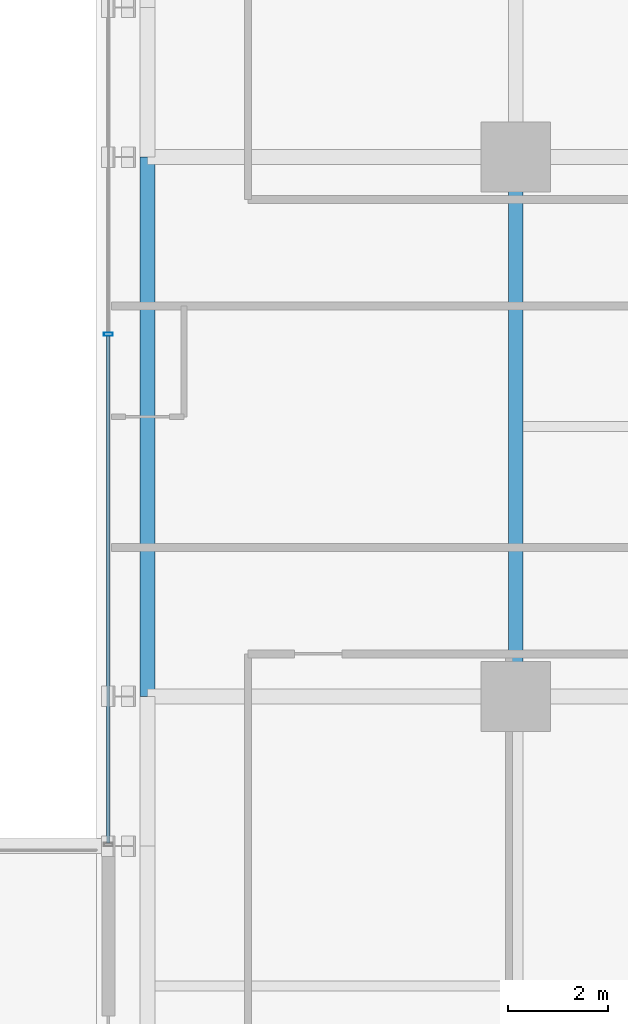
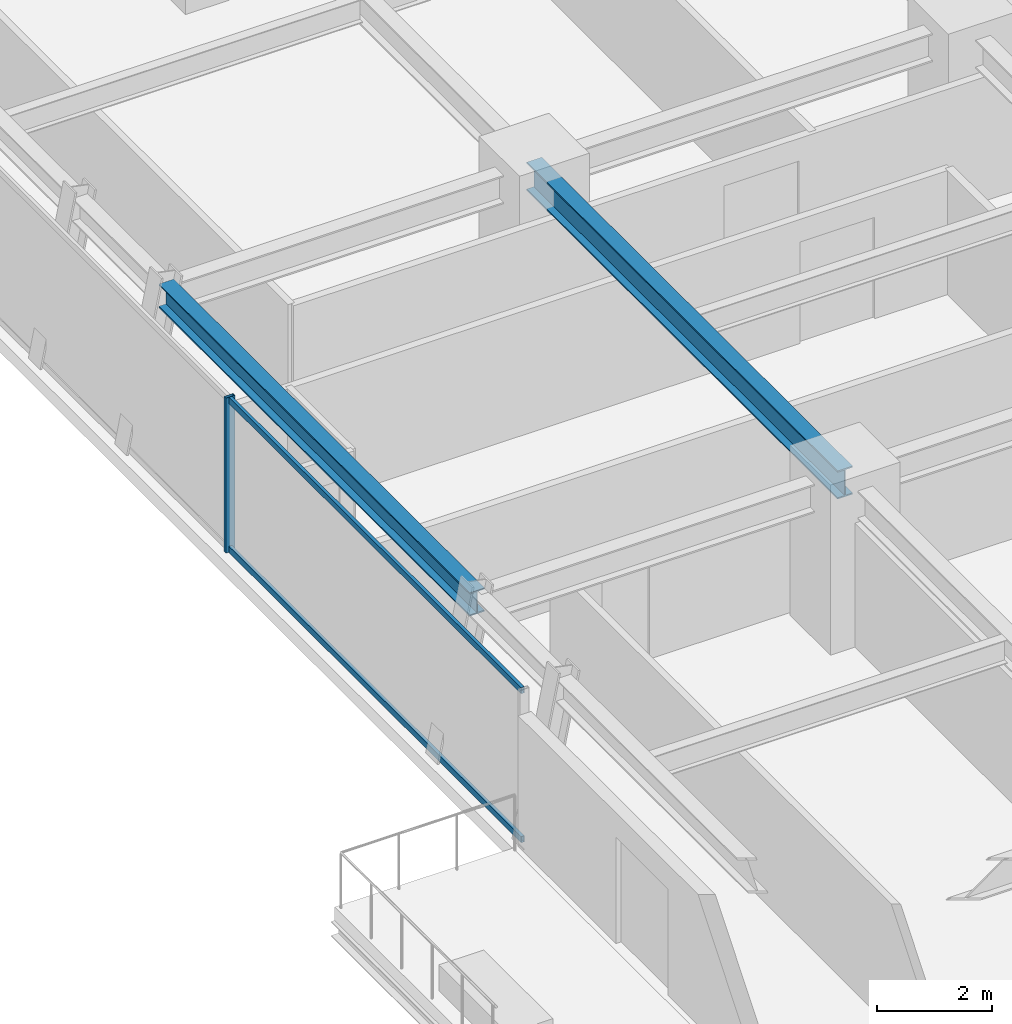
# One storey, part 9 of 35: 3 members, 2 beams, 1 element without a shape of its own.
"""IFC4 building model written with IfcOpenShell, lengths in metres."""

from ifc_helpers import new_model, si_unit, direction, frame, origin, origin_2d, place, context, subcontext, project, spatial, hollow_rectangle, i_section, extrude, source, transform, mapped, material, material_profile, profile_set, type_object, element, aggregate, save


model = new_model("IFC4")

# Units and contexts
model_context = context("Model", 3, precision=1e-05, world=origin(), true_north=direction((0.0, 1.0)))
body_context = subcontext(model_context, "Body", "Model", "MODEL_VIEW")
ifc_project = project(units=[si_unit("LENGTHUNIT", "METRE"), si_unit("AREAUNIT", "SQUARE_METRE"), si_unit("VOLUMEUNIT", "CUBIC_METRE"), si_unit("PLANEANGLEUNIT", "RADIAN"), si_unit("MASSUNIT", "GRAM", prefix="KILO")], contexts=[model_context])

# Site, building, storey
site_placement = place(None, origin())
site = spatial("IfcSite", under=ifc_project, at=site_placement, CompositionType="ELEMENT")
building_placement = place(site_placement, origin())
building = spatial("IfcBuilding", under=site, at=building_placement, Name="Nahalor Promenade Grand Hotel", CompositionType="ELEMENT")
storey_placement = place(building_placement, frame((0.0, 0.0, 79.85009765625)))
storey = spatial("IfcBuildingStorey", under=building, at=storey_placement, Name="L19", CompositionType="ELEMENT", Elevation=79.85009765625)

# Beams
ifc_material_1 = material(Name="Steel S355JR", Category="steel")
ifc_material_profile_1 = material_profile(ifc_material_1, i_section(OverallWidth=0.3, OverallDepth=0.6, WebThickness=0.0155, FlangeThickness=0.03, at=origin_2d()), Name="HEB 600")
ifc_profile_set_1 = profile_set([ifc_material_profile_1], Name="Steel S355JR")
beam_type_1 = type_object("IfcBeamType", Name="Beam-Girder-HEB600", PredefinedType="BEAM", material=ifc_profile_set_1)
shared_shape_1 = source(origin(), body_context, "Body", "SweptSolid", [
    extrude(i_section(OverallWidth=0.3, OverallDepth=0.6, WebThickness=0.0155, FlangeThickness=0.03, at=origin_2d()), origin(), (0.0, 0.0, 1.0), 10.7998046875),
])
beam_1_placement = place(storey_placement, frame((-17.0, -5.39990234375, 2.989990234375), z_axis=(0.0, 1.0, 0.0), x_axis=(-1.0, 0.0, 0.0)))
element("IfcBeam", 1, at=beam_1_placement, inside=storey, type_object=beam_type_1, Name="BM-L19-GY-0-2", PredefinedType="BEAM", context=body_context, shape_type="MappedRepresentation", body=[
    mapped(shared_shape_1, transform((0.0, 0.0, 0.0), scale=1.0)),
])
ifc_material_profile_2 = material_profile(ifc_material_1, i_section(OverallWidth=0.3, OverallDepth=0.5, WebThickness=0.0145, FlangeThickness=0.028, at=origin_2d()), Name="HEB 500")
ifc_profile_set_2 = profile_set([ifc_material_profile_2], Name="Steel S355JR")
beam_type_2 = type_object("IfcBeamType", Name="Beam-Spandrel-HEB500", PredefinedType="SPANDREL", material=ifc_profile_set_2)
shared_shape_2 = source(origin(), body_context, "Body", "SweptSolid", [
    extrude(i_section(OverallWidth=0.3, OverallDepth=0.5, WebThickness=0.0145, FlangeThickness=0.028, at=origin_2d()), origin(), (0.0, 0.0, 1.0), 10.7998046875),
])
beam_2_placement = place(storey_placement, frame((-24.3798828125, -5.39990234375, 3.039794921875), z_axis=(0.0, 1.0, 0.0), x_axis=(-1.0, 0.0, 0.0)))
element("IfcBeam", 2, at=beam_2_placement, inside=storey, type_object=beam_type_2, Name="BM-L19-SP-W-2", PredefinedType="SPANDREL", context=body_context, shape_type="MappedRepresentation", body=[
    mapped(shared_shape_2, transform((0.0, 0.0, 0.0), scale=1.0)),
])

# Curtain wall, members
ifc_material_2 = material(Name="Anodised Bronze Aluminium EN AW-6063 T6", Category="aluminium")
curtain_wall_type = type_object("IfcCurtainWallType", Name="CW2 Typical Hotel Flush Bronze Unitised Curtain Wall", PredefinedType="USERDEFINED", material=ifc_material_2)
curtain_wall_placement = place(storey_placement, origin())
curtain_wall = element("IfcCurtainWall", 3, at=curtain_wall_placement, inside=storey, type_object=curtain_wall_type, Name="L19 Curtain Wall CW-L19-W-3", ObjectType="UNITISED_CURTAIN_WALL", PredefinedType="USERDEFINED")
ifc_material_profile_3 = material_profile(ifc_material_2, hollow_rectangle(XDim=0.065, YDim=0.13, WallThickness=0.004, at=origin_2d()), Name="CWT 65x130x4")
ifc_profile_set_3 = profile_set([ifc_material_profile_3], Name="Anodised Bronze Aluminium EN AW-6063 T6")
member_type_1 = type_object("IfcMemberType", Name="CWT2 Typical Bronze Transom 65x130", PredefinedType="USERDEFINED", material=ifc_profile_set_3)
shared_shape_3 = source(origin(), body_context, "Body", "SweptSolid", [
    extrude(hollow_rectangle(XDim=0.065, YDim=0.13, WallThickness=0.004, at=origin_2d()), origin(), (0.0, 0.0, 1.0), 10.15576171875),
])
member_1_placement = place(storey_placement, frame((-25.159912109375, -8.3349609375, 0.06494140625), z_axis=(0.0, 1.0, 0.0), x_axis=(-1.0, 0.0, 0.0)))
member_1 = element("IfcMember", 4, at=member_1_placement, type_object=member_type_1, Name="CW-L19-W-3 Transom 0-0", ObjectType="TRANSOM", PredefinedType="USERDEFINED", context=body_context, shape_type="MappedRepresentation", body=[
    mapped(shared_shape_3, transform((0.0, 0.0, 0.0), scale=1.0)),
])
member_2_placement = place(storey_placement, frame((-25.159912109375, -8.3349609375, 3.224853515625), z_axis=(0.0, 1.0, 0.0), x_axis=(-1.0, 0.0, 0.0)))
member_2 = element("IfcMember", 5, at=member_2_placement, type_object=member_type_1, Name="CW-L19-W-3 Transom 0-1", ObjectType="TRANSOM", PredefinedType="USERDEFINED", context=body_context, shape_type="MappedRepresentation", body=[
    mapped(shared_shape_3, transform((0.0, 0.0, 0.0), scale=1.0)),
])
ifc_material_profile_4 = material_profile(ifc_material_2, hollow_rectangle(XDim=0.065, YDim=0.18, WallThickness=0.004, at=origin_2d()), Name="CWM 65x180x4")
ifc_profile_set_4 = profile_set([ifc_material_profile_4], Name="Anodised Bronze Aluminium EN AW-6063 T6")
member_type_2 = type_object("IfcMemberType", Name="CWM2 Typical Bronze Mullion 65x180", PredefinedType="MULLION", material=ifc_profile_set_4)
shared_shape_4 = source(origin(), body_context, "Body", "SweptSolid", [
    extrude(hollow_rectangle(XDim=0.065, YDim=0.18, WallThickness=0.004, at=origin_2d()), origin(), (0.0, 0.0, 1.0), 3.289794921875),
])
member_3_placement = place(storey_placement, frame((-25.159912109375, 1.853271484375, 0.0), z_axis=(0.0, 0.0, 1.0), x_axis=(0.0, 1.0, 0.0)))
member_3 = element("IfcMember", 6, at=member_3_placement, type_object=member_type_2, Name="CW-L19-W-3 Mullion 1", PredefinedType="MULLION", context=body_context, shape_type="MappedRepresentation", body=[
    mapped(shared_shape_4, transform((0.0, 0.0, 0.0), scale=1.0)),
])
aggregate(curtain_wall, [member_3, member_1, member_2])

save(model, "model.ifc")
